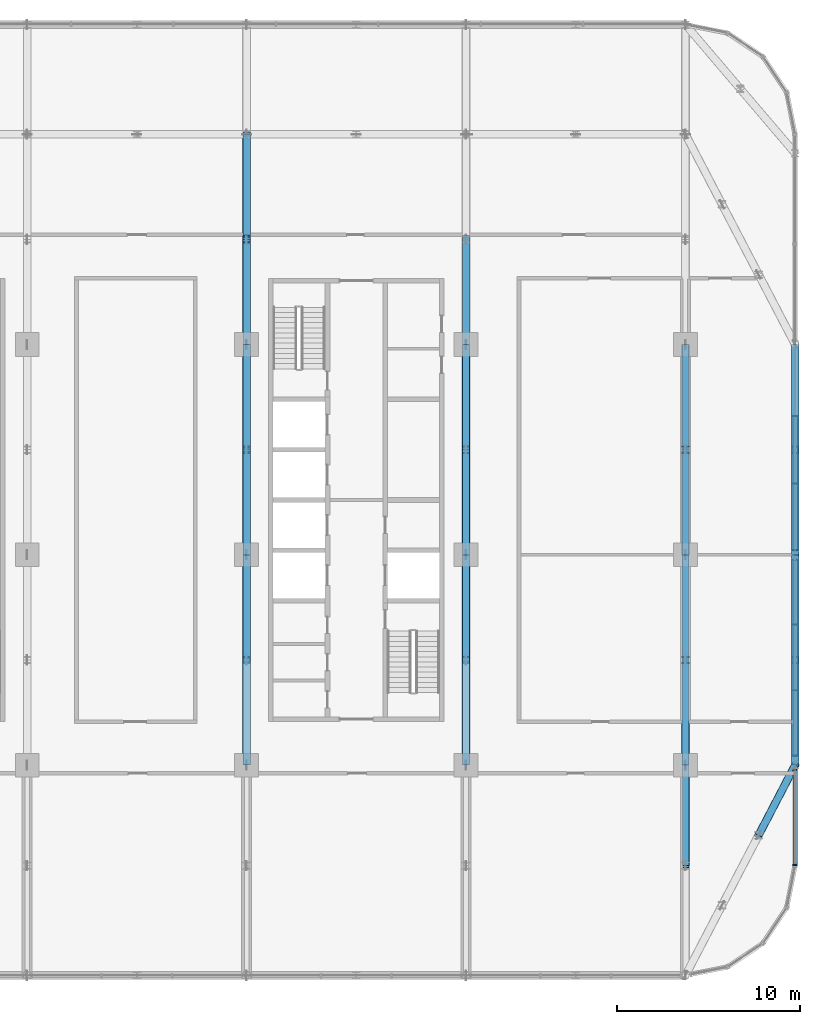
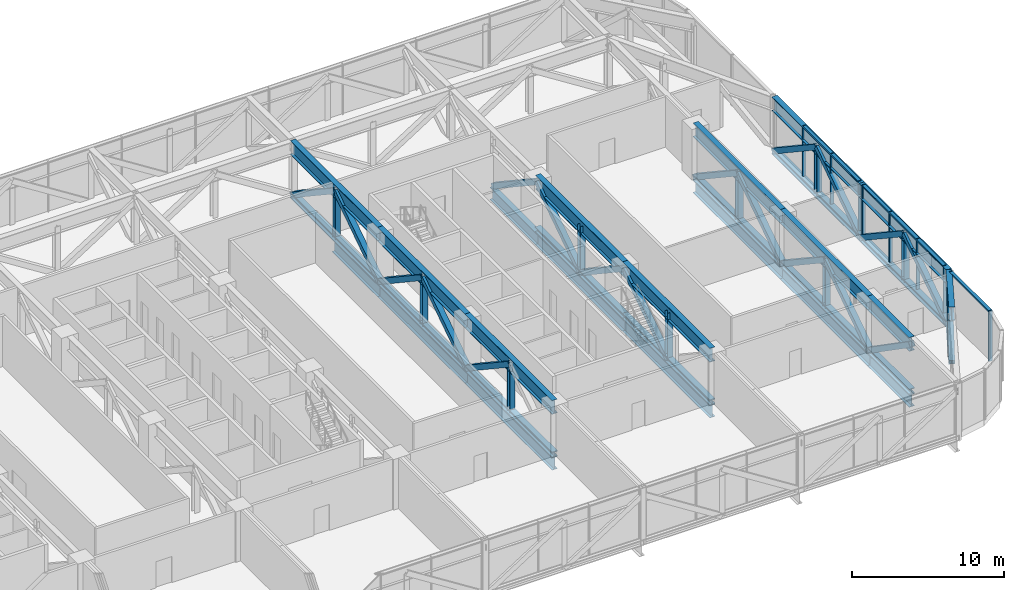
# One storey, part 11 of 30: 65 members, 9 beams, 3 elements without a shape of their own.
"""IFC4 building model written with IfcOpenShell, lengths in metres."""

from ifc_helpers import new_model, si_unit, direction, frame, origin, origin_2d, place, context, subcontext, project, spatial, rectangle, hollow_rectangle, i_section, extrude, material, material_profile, profile_set, type_object, element, aggregate, save


model = new_model("IFC4")

# Units and contexts
model_context = context("Model", 3, precision=1e-05, world=origin(), true_north=direction((0.0, 1.0)))
body_context = subcontext(model_context, "Body", "Model", "MODEL_VIEW")
ifc_project = project(units=[si_unit("LENGTHUNIT", "METRE"), si_unit("AREAUNIT", "SQUARE_METRE"), si_unit("VOLUMEUNIT", "CUBIC_METRE"), si_unit("PLANEANGLEUNIT", "RADIAN"), si_unit("MASSUNIT", "GRAM", prefix="KILO")], contexts=[model_context])

# Site, building, storey
site_placement = place(None, origin())
site = spatial("IfcSite", under=ifc_project, at=site_placement, CompositionType="ELEMENT")
building_placement = place(site_placement, origin())
building = spatial("IfcBuilding", under=site, at=building_placement, Name="Mahtab Terrace Research Tower", CompositionType="ELEMENT")
storey_placement = place(building_placement, frame((0.0, 0.0, 154.800048828125)))
storey = spatial("IfcBuildingStorey", under=building, at=storey_placement, Name="L36", CompositionType="ELEMENT", Elevation=154.800048828125)

# Members
ifc_material_1 = material(Name="Steel ASTM A500 Gr C", Category="steel")
ifc_material_profile_1 = material_profile(ifc_material_1, hollow_rectangle(XDim=0.406494140625, YDim=0.406494140625, WallThickness=0.015869140625, at=origin_2d()), Name="HSS16X16X5/8")
ifc_profile_set_1 = profile_set([ifc_material_profile_1], Name="Steel ASTM A500 Gr C")
member_type_1 = type_object("IfcMemberType", Name="HSS 16x16x5/8 brace TD161658", PredefinedType="BRACE", material=ifc_profile_set_1)
for number, where, z_axis, x_axis, name in (
    (1, (18.0, 0.0, -0.317626953125), (0.0, -0.833017600398, 0.553246488852), (1.0, 0.0, 0.0), "Transfer truss T4 diagonal 086"),
    (2, (18.0, 0.0, -0.317626953125), (0.0, 0.833017600398, 0.553246488852), (-1.0, 0.0, 0.0), "Transfer truss T4 diagonal 087"),
    (3, (18.0, 11.5, -0.317626953125), (0.0, -0.833017600398, 0.553246488852), (1.0, 0.0, 0.0), "Transfer truss T4 diagonal 088"),
    (4, (18.0, 11.5, -0.317626953125), (0.0, 0.833017600398, 0.553246488852), (-1.0, 0.0, 0.0), "Transfer truss T4 diagonal 089"),
    (5, (18.0, 23.0, -0.317626953125), (0.0, -0.833017600398, 0.553246488852), (1.0, 0.0, 0.0), "Transfer truss T4 diagonal 090"),
    (6, (30.0, -5.75, -0.317626953125), (0.0, 0.833017600398, 0.553246488852), (-1.0, 0.0, 0.0), "Transfer truss T4 diagonal 101"),
    (7, (30.0, 5.75, -0.317626953125), (0.0, -0.833017600398, 0.553246488852), (1.0, 0.0, 0.0), "Transfer truss T4 diagonal 102"),
    (8, (30.0, 5.75, -0.317626953125), (0.0, 0.833017600398, 0.553246488852), (-1.0, 0.0, 0.0), "Transfer truss T4 diagonal 103"),
    (9, (30.0, 17.25, -0.317626953125), (0.0, -0.833017600398, 0.553246488852), (1.0, 0.0, 0.0), "Transfer truss T4 diagonal 104"),
):
    element("IfcMember", number, at=place(storey_placement, frame(where, z_axis=z_axis, x_axis=x_axis)), inside=storey, type_object=member_type_1, Name=name, PredefinedType="BRACE", context=body_context, shape_type="SweptSolid", body=[
        extrude(hollow_rectangle(XDim=0.406494140625, YDim=0.406494140625, WallThickness=0.015869140625, at=origin_2d()), origin(), (0.0, 0.0, 1.0), 6.902587890625),
    ])
member_1_placement = place(storey_placement, frame((42.0, -11.5, -0.317626953125), z_axis=(0.0, -0.821411720884, 0.570335677294), x_axis=(1.0, 0.0, 0.0)))
element("IfcMember", 10, at=member_1_placement, inside=storey, type_object=member_type_1, Name="Transfer truss T4 diagonal 114", PredefinedType="BRACE", context=body_context, shape_type="SweptSolid", body=[
    extrude(hollow_rectangle(XDim=0.406494140625, YDim=0.406494140625, WallThickness=0.015869140625, at=origin_2d()), origin(), (0.0, 0.0, 1.0), 6.69580078125),
])
for number, where, z_axis, x_axis, name in (
    (11, (42.0, -11.5, -0.317626953125), (0.0, 0.833017600398, 0.553246488852), (-1.0, 0.0, 0.0), "Transfer truss T4 diagonal 115"),
    (12, (42.0, 0.0, -0.317626953125), (0.0, -0.833017600398, 0.553246488852), (1.0, 0.0, 0.0), "Transfer truss T4 diagonal 116"),
    (13, (42.0, 0.0, -0.317626953125), (0.0, 0.833017600398, 0.553246488852), (-1.0, 0.0, 0.0), "Transfer truss T4 diagonal 117"),
    (14, (42.0, 11.5, -0.317626953125), (0.0, -0.833017600398, 0.553246488852), (1.0, 0.0, 0.0), "Transfer truss T4 diagonal 118"),
):
    element("IfcMember", number, at=place(storey_placement, frame(where, z_axis=z_axis, x_axis=x_axis)), inside=storey, type_object=member_type_1, Name=name, PredefinedType="BRACE", context=body_context, shape_type="SweptSolid", body=[
        extrude(hollow_rectangle(XDim=0.406494140625, YDim=0.406494140625, WallThickness=0.015869140625, at=origin_2d()), origin(), (0.0, 0.0, 1.0), 6.902587890625),
    ])
member_2_placement = place(storey_placement, frame((46.0, -15.3330078125, -0.317626953125), z_axis=(0.346710822661, 0.66447264597, 0.662017906259), x_axis=(-0.886568735502, 0.462596884155, 0.0)))
element("IfcMember", 15, at=member_2_placement, inside=storey, type_object=member_type_1, Name="Transfer truss T4 diagonal 127", PredefinedType="BRACE", context=body_context, shape_type="SweptSolid", body=[
    extrude(hollow_rectangle(XDim=0.406494140625, YDim=0.406494140625, WallThickness=0.015869140625, at=origin_2d()), origin(), (0.0, 0.0, 1.0), 5.7685546875),
])
for number, where, z_axis, x_axis, name in (
    (16, (48.0, -11.5, -0.317626953125), (0.0, 0.833017600398, 0.553246488852), (-1.0, 0.0, 0.0), "Transfer truss T4 diagonal 129"),
    (17, (48.0, 0.0, -0.317626953125), (0.0, -0.833017600398, 0.553246488852), (1.0, 0.0, 0.0), "Transfer truss T4 diagonal 130"),
    (18, (48.0, 0.0, -0.317626953125), (0.0, 0.833017600398, 0.553246488852), (-1.0, 0.0, 0.0), "Transfer truss T4 diagonal 131"),
    (19, (48.0, 11.5, -0.317626953125), (0.0, -0.833017600398, 0.553246488852), (1.0, 0.0, 0.0), "Transfer truss T4 diagonal 132"),
):
    element("IfcMember", number, at=place(storey_placement, frame(where, z_axis=z_axis, x_axis=x_axis)), inside=storey, type_object=member_type_1, Name=name, PredefinedType="BRACE", context=body_context, shape_type="SweptSolid", body=[
        extrude(hollow_rectangle(XDim=0.406494140625, YDim=0.406494140625, WallThickness=0.015869140625, at=origin_2d()), origin(), (0.0, 0.0, 1.0), 6.902587890625),
    ])

# Curtain wall, members
ifc_material_2 = material(Name="Sky lounge full-height curtain wall")
curtain_wall_type = type_object("IfcCurtainWallType", Name="Sky lounge full-height curtain wall", PredefinedType="NOTDEFINED", material=ifc_material_2)
curtain_wall_1_placement = place(storey_placement, origin())
curtain_wall_1 = element("IfcCurtainWall", 20, at=curtain_wall_1_placement, inside=storey, type_object=curtain_wall_type, Name="EN.L36.22.0", PredefinedType="NOTDEFINED")
ifc_material_3 = material(Name="Natural anodised aluminium", Category="aluminium")
ifc_material_profile_2 = material_profile(ifc_material_3, rectangle(XDim=0.25, YDim=0.070068359375, at=origin_2d()), Name="MULLION 70x250")
ifc_profile_set_2 = profile_set([ifc_material_profile_2], Name="Natural anodised aluminium")
member_type_2 = type_object("IfcMemberType", Name="Sky lounge full-height curtain wall mullion", PredefinedType="MULLION", material=ifc_profile_set_2)
member_3_placement = place(storey_placement, frame((48.0, -16.965087890625, 0.0), z_axis=(0.0, 0.0, 1.0), x_axis=(-1.0, 0.0, 0.0)))
member_3 = element("IfcMember", 21, at=member_3_placement, type_object=member_type_2, Name="CWS-T4 mullion 1", PredefinedType="MULLION", context=body_context, shape_type="SweptSolid", body=[
    extrude(rectangle(XDim=0.25, YDim=0.070068359375, at=origin_2d()), origin(), (0.0, 0.0, 1.0), 4.06005859375),
])
member_4_placement = place(storey_placement, frame((48.0, -11.7529296875, 0.0), z_axis=(0.0, 0.0, 1.0), x_axis=(-1.0, 0.0, 0.0)))
member_4 = element("IfcMember", 22, at=member_4_placement, type_object=member_type_2, Name="CWS-T4 mullion 2", PredefinedType="MULLION", context=body_context, shape_type="SweptSolid", body=[
    extrude(rectangle(XDim=0.25, YDim=0.070068359375, at=origin_2d()), origin(), (0.0, 0.0, 1.0), 4.06005859375),
])

curtain_wall_2_placement = place(storey_placement, origin())
curtain_wall_2 = element("IfcCurtainWall", 23, at=curtain_wall_2_placement, inside=storey, type_object=curtain_wall_type, Name="EN.L36.23.0", PredefinedType="NOTDEFINED")
member_5_placement = place(storey_placement, frame((48.0, -10.965087890625, 0.0), z_axis=(0.0, 0.0, 1.0), x_axis=(-1.0, 0.0, 0.0)))
member_5 = element("IfcMember", 24, at=member_5_placement, type_object=member_type_2, Name="CWS-T4 mullion 1", PredefinedType="MULLION", context=body_context, shape_type="SweptSolid", body=[
    extrude(rectangle(XDim=0.25, YDim=0.070068359375, at=origin_2d()), origin(), (0.0, 0.0, 1.0), 4.06005859375),
])
member_6_placement = place(storey_placement, frame((48.0, -7.406005859375, 0.0), z_axis=(0.0, 0.0, 1.0), x_axis=(-1.0, 0.0, 0.0)))
member_6 = element("IfcMember", 25, at=member_6_placement, type_object=member_type_2, Name="CWS-T4 mullion 2", PredefinedType="MULLION", context=body_context, shape_type="SweptSolid", body=[
    extrude(rectangle(XDim=0.25, YDim=0.070068359375, at=origin_2d()), origin(), (0.0, 0.0, 1.0), 4.06005859375),
])
member_7_placement = place(storey_placement, frame((48.0, -3.81201171875, 0.0), z_axis=(0.0, 0.0, 1.0), x_axis=(-1.0, 0.0, 0.0)))
member_7 = element("IfcMember", 26, at=member_7_placement, type_object=member_type_2, Name="CWS-T4 mullion 3", PredefinedType="MULLION", context=body_context, shape_type="SweptSolid", body=[
    extrude(rectangle(XDim=0.25, YDim=0.070068359375, at=origin_2d()), origin(), (0.0, 0.0, 1.0), 4.06005859375),
])
member_8_placement = place(storey_placement, frame((48.0, -0.2529296875, 0.0), z_axis=(0.0, 0.0, 1.0), x_axis=(-1.0, 0.0, 0.0)))
member_8 = element("IfcMember", 27, at=member_8_placement, type_object=member_type_2, Name="CWS-T4 mullion 4", PredefinedType="MULLION", context=body_context, shape_type="SweptSolid", body=[
    extrude(rectangle(XDim=0.25, YDim=0.070068359375, at=origin_2d()), origin(), (0.0, 0.0, 1.0), 4.06005859375),
])

curtain_wall_3_placement = place(storey_placement, origin())
curtain_wall_3 = element("IfcCurtainWall", 28, at=curtain_wall_3_placement, inside=storey, type_object=curtain_wall_type, Name="EN.L36.23.1", PredefinedType="NOTDEFINED")
member_9_placement = place(storey_placement, frame((48.0, 0.2529296875, 0.0), z_axis=(0.0, 0.0, 1.0), x_axis=(-1.0, 0.0, 0.0)))
member_9 = element("IfcMember", 29, at=member_9_placement, type_object=member_type_2, Name="CWS-T4 mullion 1", PredefinedType="MULLION", context=body_context, shape_type="SweptSolid", body=[
    extrude(rectangle(XDim=0.25, YDim=0.070068359375, at=origin_2d()), origin(), (0.0, 0.0, 1.0), 4.06005859375),
])
member_10_placement = place(storey_placement, frame((48.0, 3.906005859375, 0.0), z_axis=(0.0, 0.0, 1.0), x_axis=(-1.0, 0.0, 0.0)))
member_10 = element("IfcMember", 30, at=member_10_placement, type_object=member_type_2, Name="CWS-T4 mullion 2", PredefinedType="MULLION", context=body_context, shape_type="SweptSolid", body=[
    extrude(rectangle(XDim=0.25, YDim=0.070068359375, at=origin_2d()), origin(), (0.0, 0.0, 1.0), 4.06005859375),
])
member_11_placement = place(storey_placement, frame((48.0, 7.593994140625, 0.0), z_axis=(0.0, 0.0, 1.0), x_axis=(-1.0, 0.0, 0.0)))
member_11 = element("IfcMember", 31, at=member_11_placement, type_object=member_type_2, Name="CWS-T4 mullion 3", PredefinedType="MULLION", context=body_context, shape_type="SweptSolid", body=[
    extrude(rectangle(XDim=0.25, YDim=0.070068359375, at=origin_2d()), origin(), (0.0, 0.0, 1.0), 4.06005859375),
])

# Member
ifc_material_profile_3 = material_profile(ifc_material_3, rectangle(XDim=0.25, YDim=0.1201171875, at=origin_2d()), Name="TRANSOM 120x250")
ifc_profile_set_3 = profile_set([ifc_material_profile_3], Name="Natural anodised aluminium")
member_type_3 = type_object("IfcMemberType", Name="Sky lounge full-height curtain wall transom", PredefinedType="USERDEFINED", material=ifc_profile_set_3)
member_12_placement = place(storey_placement, frame((48.0, -16.929931640625, 4.0), z_axis=(0.0, 1.0, 0.0), x_axis=(-1.0, 0.0, 0.0)))
member_12 = element("IfcMember", 32, at=member_12_placement, type_object=member_type_3, Name="CWS-T4 transom 1", ObjectType="TRANSOM", PredefinedType="USERDEFINED", context=body_context, shape_type="SweptSolid", body=[
    extrude(rectangle(XDim=0.25, YDim=0.1201171875, at=origin_2d()), origin(), (0.0, 0.0, 1.0), 5.141845703125),
])

aggregate(curtain_wall_1, [member_3, member_4, member_12])

member_13_placement = place(storey_placement, frame((48.0, -10.929931640625, 4.0), z_axis=(0.0, 1.0, 0.0), x_axis=(-1.0, 0.0, 0.0)))
member_13 = element("IfcMember", 33, at=member_13_placement, type_object=member_type_3, Name="CWS-T4 transom 1", ObjectType="TRANSOM", PredefinedType="USERDEFINED", context=body_context, shape_type="SweptSolid", body=[
    extrude(rectangle(XDim=0.25, YDim=0.1201171875, at=origin_2d()), origin(), (0.0, 0.0, 1.0), 3.489013671875),
])

member_14_placement = place(storey_placement, frame((48.0, -7.37109375, 4.0), z_axis=(0.0, 1.0, 0.0), x_axis=(-1.0, 0.0, 0.0)))
member_14 = element("IfcMember", 34, at=member_14_placement, type_object=member_type_3, Name="CWS-T4 transom 2", ObjectType="TRANSOM", PredefinedType="USERDEFINED", context=body_context, shape_type="SweptSolid", body=[
    extrude(rectangle(XDim=0.25, YDim=0.1201171875, at=origin_2d()), origin(), (0.0, 0.0, 1.0), 3.524169921875),
])

member_15_placement = place(storey_placement, frame((48.0, -3.777099609375, 4.0), z_axis=(0.0, 1.0, 0.0), x_axis=(-1.0, 0.0, 0.0)))
member_15 = element("IfcMember", 35, at=member_15_placement, type_object=member_type_3, Name="CWS-T4 transom 3", ObjectType="TRANSOM", PredefinedType="USERDEFINED", context=body_context, shape_type="SweptSolid", body=[
    extrude(rectangle(XDim=0.25, YDim=0.1201171875, at=origin_2d()), origin(), (0.0, 0.0, 1.0), 3.489013671875),
])

aggregate(curtain_wall_2, [member_5, member_6, member_7, member_8, member_13, member_14, member_15])

member_16_placement = place(storey_placement, frame((48.0, 0.2880859375, 4.0), z_axis=(0.0, 1.0, 0.0), x_axis=(-1.0, 0.0, 0.0)))
member_16 = element("IfcMember", 36, at=member_16_placement, type_object=member_type_3, Name="CWS-T4 transom 1", ObjectType="TRANSOM", PredefinedType="USERDEFINED", context=body_context, shape_type="SweptSolid", body=[
    extrude(rectangle(XDim=0.25, YDim=0.1201171875, at=origin_2d()), origin(), (0.0, 0.0, 1.0), 3.5830078125),
])

member_17_placement = place(storey_placement, frame((48.0, 3.94091796875, 4.0), z_axis=(0.0, 1.0, 0.0), x_axis=(-1.0, 0.0, 0.0)))
member_17 = element("IfcMember", 37, at=member_17_placement, type_object=member_type_3, Name="CWS-T4 transom 2", ObjectType="TRANSOM", PredefinedType="USERDEFINED", context=body_context, shape_type="SweptSolid", body=[
    extrude(rectangle(XDim=0.25, YDim=0.1201171875, at=origin_2d()), origin(), (0.0, 0.0, 1.0), 3.6181640625),
])

aggregate(curtain_wall_3, [member_9, member_10, member_11, member_16, member_17])

# Members
ifc_material_4 = material(Name="Steel ASTM A992 Gr 50", Category="steel")
ifc_material_profile_4 = material_profile(ifc_material_4, i_section(OverallWidth=0.396240234375, OverallDepth=0.381103515625, WebThickness=0.018798828125, FlangeThickness=0.0302734375, at=origin_2d()), Name="W14X159")
ifc_profile_set_4 = profile_set([ifc_material_profile_4], Name="Steel ASTM A992 Gr 50")
member_type_4 = type_object("IfcMemberType", Name="W14x159 post TP14159", PredefinedType="POST", material=ifc_profile_set_4)
for number, where, z_axis, x_axis, name in (
    (38, (18.0, -5.75, -0.317626953125), (0.0, 0.0, 1.0), (1.0, 0.0, 0.0), "Transfer truss T4 post 077"),
    (39, (18.0, 5.75, -0.317626953125), (0.0, 0.0, 1.0), (1.0, 0.0, 0.0), "Transfer truss T4 post 079"),
    (40, (18.0, 17.25, -0.317626953125), (0.0, 0.0, 1.0), (1.0, 0.0, 0.0), "Transfer truss T4 post 081"),
    (41, (30.0, -5.75, -0.317626953125), (0.0, 0.0, 1.0), (1.0, 0.0, 0.0), "Transfer truss T4 post 090"),
    (42, (30.0, 5.75, -0.317626953125), (0.0, 0.0, 1.0), (1.0, 0.0, 0.0), "Transfer truss T4 post 092"),
    (43, (42.0, -5.75, -0.317626953125), (0.0, 0.0, 1.0), (1.0, 0.0, 0.0), "Transfer truss T4 post 103"),
    (44, (42.0, 5.75, -0.317626953125), (0.0, 0.0, 1.0), (1.0, 0.0, 0.0), "Transfer truss T4 post 105"),
    (45, (48.0, -5.75, -0.317626953125), (0.0, 0.0, 1.0), (1.0, 0.0, 0.0), "Transfer truss T4 post 116"),
    (46, (48.0, 5.75, -0.317626953125), (0.0, 0.0, 1.0), (1.0, 0.0, 0.0), "Transfer truss T4 post 118"),
):
    element("IfcMember", number, at=place(storey_placement, frame(where, z_axis=z_axis, x_axis=x_axis)), inside=storey, type_object=member_type_4, Name=name, PredefinedType="POST", context=body_context, shape_type="SweptSolid", body=[
        extrude(i_section(OverallWidth=0.396240234375, OverallDepth=0.381103515625, WebThickness=0.018798828125, FlangeThickness=0.0302734375, at=origin_2d()), origin(), (0.0, 0.0, 1.0), 3.81884765625),
    ])
ifc_material_profile_5 = material_profile(ifc_material_4, i_section(OverallWidth=0.421630859375, OverallDepth=0.46484375, WebThickness=0.044921875, FlangeThickness=0.072509765625, at=origin_2d()), Name="W14X398")
ifc_profile_set_5 = profile_set([ifc_material_profile_5], Name="Steel ASTM A992 Gr 50")
member_type_5 = type_object("IfcMemberType", Name="W14x398 chord TC14398", PredefinedType="CHORD", material=ifc_profile_set_5)
for number, where, z_axis, x_axis, name in (
    (47, (18.0, -11.5, -0.317626953125), (0.0, 1.0, 0.0), (-1.0, 0.0, 0.0), "Transfer truss T4 bottom chord 059"),
    (48, (18.0, 0.0, -0.317626953125), (0.0, 1.0, 0.0), (-1.0, 0.0, 0.0), "Transfer truss T4 bottom chord 060"),
    (49, (18.0, 11.5, -0.317626953125), (0.0, 1.0, 0.0), (-1.0, 0.0, 0.0), "Transfer truss T4 bottom chord 061"),
    (50, (30.0, -11.5, -0.317626953125), (0.0, 1.0, 0.0), (-1.0, 0.0, 0.0), "Transfer truss T4 bottom chord 065"),
    (51, (30.0, 0.0, -0.317626953125), (0.0, 1.0, 0.0), (-1.0, 0.0, 0.0), "Transfer truss T4 bottom chord 066"),
):
    element("IfcMember", number, at=place(storey_placement, frame(where, z_axis=z_axis, x_axis=x_axis)), inside=storey, type_object=member_type_5, Name=name, PredefinedType="CHORD", context=body_context, shape_type="SweptSolid", body=[
        extrude(i_section(OverallWidth=0.421630859375, OverallDepth=0.46484375, WebThickness=0.044921875, FlangeThickness=0.072509765625, at=origin_2d()), origin(), (0.0, 0.0, 1.0), 11.5),
    ])
member_18_placement = place(storey_placement, frame((46.0, -15.3330078125, -0.317626953125), z_axis=(0.462596884155, 0.886568735502, 0.0), x_axis=(-0.886568735502, 0.462596884155, 0.0)))
element("IfcMember", 52, at=member_18_placement, inside=storey, type_object=member_type_5, Name="Transfer truss T4 bottom chord 070", PredefinedType="CHORD", context=body_context, shape_type="SweptSolid", body=[
    extrude(i_section(OverallWidth=0.421630859375, OverallDepth=0.46484375, WebThickness=0.044921875, FlangeThickness=0.072509765625, at=origin_2d()), origin(), (0.0, 0.0, 1.0), 4.323486328125),
])
member_19_placement = place(storey_placement, frame((42.0, -17.0, -0.317626953125), z_axis=(0.0, 1.0, 0.0), x_axis=(-1.0, 0.0, 0.0)))
element("IfcMember", 53, at=member_19_placement, inside=storey, type_object=member_type_5, Name="Transfer truss T4 bottom chord 072", PredefinedType="CHORD", context=body_context, shape_type="SweptSolid", body=[
    extrude(i_section(OverallWidth=0.421630859375, OverallDepth=0.46484375, WebThickness=0.044921875, FlangeThickness=0.072509765625, at=origin_2d()), origin(), (0.0, 0.0, 1.0), 5.5),
])
for number, where, z_axis, x_axis, name in (
    (54, (42.0, -11.5, -0.317626953125), (0.0, 1.0, 0.0), (-1.0, 0.0, 0.0), "Transfer truss T4 bottom chord 073"),
    (55, (42.0, 0.0, -0.317626953125), (0.0, 1.0, 0.0), (-1.0, 0.0, 0.0), "Transfer truss T4 bottom chord 074"),
    (56, (48.0, -11.5, -0.317626953125), (0.0, 1.0, 0.0), (-1.0, 0.0, 0.0), "Transfer truss T4 bottom chord 080"),
    (57, (48.0, 0.0, -0.317626953125), (0.0, 1.0, 0.0), (-1.0, 0.0, 0.0), "Transfer truss T4 bottom chord 081"),
):
    element("IfcMember", number, at=place(storey_placement, frame(where, z_axis=z_axis, x_axis=x_axis)), inside=storey, type_object=member_type_5, Name=name, PredefinedType="CHORD", context=body_context, shape_type="SweptSolid", body=[
        extrude(i_section(OverallWidth=0.421630859375, OverallDepth=0.46484375, WebThickness=0.044921875, FlangeThickness=0.072509765625, at=origin_2d()), origin(), (0.0, 0.0, 1.0), 11.5),
    ])

# Beams
ifc_material_profile_6 = material_profile(ifc_material_4, i_section(OverallWidth=0.4013671875, OverallDepth=1.000732421875, WebThickness=0.01904296875, FlangeThickness=0.0361328125, at=origin_2d()), Name="W40X249")
ifc_profile_set_6 = profile_set([ifc_material_profile_6], Name="Steel ASTM A992 Gr 50")
beam_type = type_object("IfcBeamType", Name="W40x249 transfer girder TG40249", PredefinedType="BEAM", material=ifc_profile_set_6)
for number, where, z_axis, x_axis, name in (
    (58, (42.0, 0.0, -1.04833984375), (0.0, 1.0, 0.0), (-1.0, 0.0, 0.0), "Transfer girder T4 01"),
    (59, (30.0, 0.0, -1.04833984375), (0.0, 1.0, 0.0), (-1.0, 0.0, 0.0), "Transfer girder T4 04"),
):
    element("IfcBeam", number, at=place(storey_placement, frame(where, z_axis=z_axis, x_axis=x_axis)), inside=storey, type_object=beam_type, Name=name, PredefinedType="BEAM", context=body_context, shape_type="SweptSolid", body=[
        extrude(i_section(OverallWidth=0.4013671875, OverallDepth=1.000732421875, WebThickness=0.01904296875, FlangeThickness=0.0361328125, at=origin_2d()), origin(), (0.0, 0.0, 1.0), 11.5),
    ])
beam_1_placement = place(storey_placement, frame((30.0, 11.5, -1.04833984375), z_axis=(0.0, 1.0, 0.0), x_axis=(-1.0, 0.0, 0.0)))
element("IfcBeam", 60, at=beam_1_placement, inside=storey, type_object=beam_type, Name="Transfer girder T4 05", PredefinedType="BEAM", context=body_context, shape_type="SweptSolid", body=[
    extrude(i_section(OverallWidth=0.4013671875, OverallDepth=1.000732421875, WebThickness=0.01904296875, FlangeThickness=0.0361328125, at=origin_2d()), origin(), (0.0, 0.0, 1.0), 6.0),
])
beam_2_placement = place(storey_placement, frame((18.0, 0.0, -1.04833984375), z_axis=(0.0, 1.0, 0.0), x_axis=(-1.0, 0.0, 0.0)))
element("IfcBeam", 61, at=beam_2_placement, inside=storey, type_object=beam_type, Name="Transfer girder T4 07", PredefinedType="BEAM", context=body_context, shape_type="SweptSolid", body=[
    extrude(i_section(OverallWidth=0.4013671875, OverallDepth=1.000732421875, WebThickness=0.01904296875, FlangeThickness=0.0361328125, at=origin_2d()), origin(), (0.0, 0.0, 1.0), 11.5),
])
beam_3_placement = place(storey_placement, frame((18.0, 11.5, -1.04833984375), z_axis=(0.0, 1.0, 0.0), x_axis=(-1.0, 0.0, 0.0)))
element("IfcBeam", 62, at=beam_3_placement, inside=storey, type_object=beam_type, Name="Transfer girder T4 08", PredefinedType="BEAM", context=body_context, shape_type="SweptSolid", body=[
    extrude(i_section(OverallWidth=0.4013671875, OverallDepth=1.000732421875, WebThickness=0.01904296875, FlangeThickness=0.0361328125, at=origin_2d()), origin(), (0.0, 0.0, 1.0), 6.0),
])
for number, where, z_axis, x_axis, name in (
    (63, (18.0, -11.5, -1.04833984375), (0.0, 1.0, 0.0), (-1.0, 0.0, 0.0), "Transfer girder T4 39"),
    (64, (30.0, -11.5, -1.04833984375), (0.0, 1.0, 0.0), (-1.0, 0.0, 0.0), "Transfer girder T4 42"),
):
    element("IfcBeam", number, at=place(storey_placement, frame(where, z_axis=z_axis, x_axis=x_axis)), inside=storey, type_object=beam_type, Name=name, PredefinedType="BEAM", context=body_context, shape_type="SweptSolid", body=[
        extrude(i_section(OverallWidth=0.4013671875, OverallDepth=1.000732421875, WebThickness=0.01904296875, FlangeThickness=0.0361328125, at=origin_2d()), origin(), (0.0, 0.0, 1.0), 11.5),
    ])
beam_4_placement = place(storey_placement, frame((42.0, -17.0, -1.04833984375), z_axis=(0.0, 1.0, 0.0), x_axis=(-1.0, 0.0, 0.0)))
element("IfcBeam", 65, at=beam_4_placement, inside=storey, type_object=beam_type, Name="Transfer girder T4 44", PredefinedType="BEAM", context=body_context, shape_type="SweptSolid", body=[
    extrude(i_section(OverallWidth=0.4013671875, OverallDepth=1.000732421875, WebThickness=0.01904296875, FlangeThickness=0.0361328125, at=origin_2d()), origin(), (0.0, 0.0, 1.0), 5.5),
])
beam_5_placement = place(storey_placement, frame((42.0, -11.5, -1.04833984375), z_axis=(0.0, 1.0, 0.0), x_axis=(-1.0, 0.0, 0.0)))
element("IfcBeam", 66, at=beam_5_placement, inside=storey, type_object=beam_type, Name="Transfer girder T4 45", PredefinedType="BEAM", context=body_context, shape_type="SweptSolid", body=[
    extrude(i_section(OverallWidth=0.4013671875, OverallDepth=1.000732421875, WebThickness=0.01904296875, FlangeThickness=0.0361328125, at=origin_2d()), origin(), (0.0, 0.0, 1.0), 11.5),
])

# Members
ifc_material_profile_7 = material_profile(ifc_material_4, i_section(OverallWidth=0.40380859375, OverallDepth=1.11767578125, WebThickness=0.026123046875, FlangeThickness=0.044921875, at=origin_2d()), Name="W44X335")
ifc_profile_set_7 = profile_set([ifc_material_profile_7], Name="Steel ASTM A992 Gr 50")
member_type_6 = type_object("IfcMemberType", Name="W44x335 chord TT44335", PredefinedType="CHORD", material=ifc_profile_set_7)
for number, where, z_axis, x_axis, name in (
    (67, (18.0, -11.5, 3.501220703125), (0.0, 1.0, 0.0), (-1.0, 0.0, 0.0), "Transfer truss T4 top chord 058"),
    (68, (18.0, 0.0, 3.501220703125), (0.0, 1.0, 0.0), (-1.0, 0.0, 0.0), "Transfer truss T4 top chord 059"),
    (69, (18.0, 11.5, 3.501220703125), (0.0, 1.0, 0.0), (-1.0, 0.0, 0.0), "Transfer truss T4 top chord 060"),
    (70, (30.0, -11.5, 3.501220703125), (0.0, 1.0, 0.0), (-1.0, 0.0, 0.0), "Transfer truss T4 top chord 064"),
    (71, (30.0, 0.0, 3.501220703125), (0.0, 1.0, 0.0), (-1.0, 0.0, 0.0), "Transfer truss T4 top chord 065"),
):
    element("IfcMember", number, at=place(storey_placement, frame(where, z_axis=z_axis, x_axis=x_axis)), inside=storey, type_object=member_type_6, Name=name, PredefinedType="CHORD", context=body_context, shape_type="SweptSolid", body=[
        extrude(i_section(OverallWidth=0.40380859375, OverallDepth=1.11767578125, WebThickness=0.026123046875, FlangeThickness=0.044921875, at=origin_2d()), origin(), (0.0, 0.0, 1.0), 11.5),
    ])
member_20_placement = place(storey_placement, frame((46.0, -15.3330078125, 3.501220703125), z_axis=(0.462596884155, 0.886568735502, 0.0), x_axis=(-0.886568735502, 0.462596884155, 0.0)))
element("IfcMember", 72, at=member_20_placement, inside=storey, type_object=member_type_6, Name="Transfer truss T4 top chord 069", PredefinedType="CHORD", context=body_context, shape_type="SweptSolid", body=[
    extrude(i_section(OverallWidth=0.40380859375, OverallDepth=1.11767578125, WebThickness=0.026123046875, FlangeThickness=0.044921875, at=origin_2d()), origin(), (0.0, 0.0, 1.0), 4.323486328125),
])
member_21_placement = place(storey_placement, frame((42.0, -17.0, 3.501220703125), z_axis=(0.0, 1.0, 0.0), x_axis=(-1.0, 0.0, 0.0)))
element("IfcMember", 73, at=member_21_placement, inside=storey, type_object=member_type_6, Name="Transfer truss T4 top chord 071", PredefinedType="CHORD", context=body_context, shape_type="SweptSolid", body=[
    extrude(i_section(OverallWidth=0.40380859375, OverallDepth=1.11767578125, WebThickness=0.026123046875, FlangeThickness=0.044921875, at=origin_2d()), origin(), (0.0, 0.0, 1.0), 5.5),
])
for number, where, z_axis, x_axis, name in (
    (74, (42.0, -11.5, 3.501220703125), (0.0, 1.0, 0.0), (-1.0, 0.0, 0.0), "Transfer truss T4 top chord 072"),
    (75, (42.0, 0.0, 3.501220703125), (0.0, 1.0, 0.0), (-1.0, 0.0, 0.0), "Transfer truss T4 top chord 073"),
    (76, (48.0, -11.5, 3.501220703125), (0.0, 1.0, 0.0), (-1.0, 0.0, 0.0), "Transfer truss T4 top chord 079"),
    (77, (48.0, 0.0, 3.501220703125), (0.0, 1.0, 0.0), (-1.0, 0.0, 0.0), "Transfer truss T4 top chord 080"),
):
    element("IfcMember", number, at=place(storey_placement, frame(where, z_axis=z_axis, x_axis=x_axis)), inside=storey, type_object=member_type_6, Name=name, PredefinedType="CHORD", context=body_context, shape_type="SweptSolid", body=[
        extrude(i_section(OverallWidth=0.40380859375, OverallDepth=1.11767578125, WebThickness=0.026123046875, FlangeThickness=0.044921875, at=origin_2d()), origin(), (0.0, 0.0, 1.0), 11.5),
    ])

save(model, "model.ifc")
